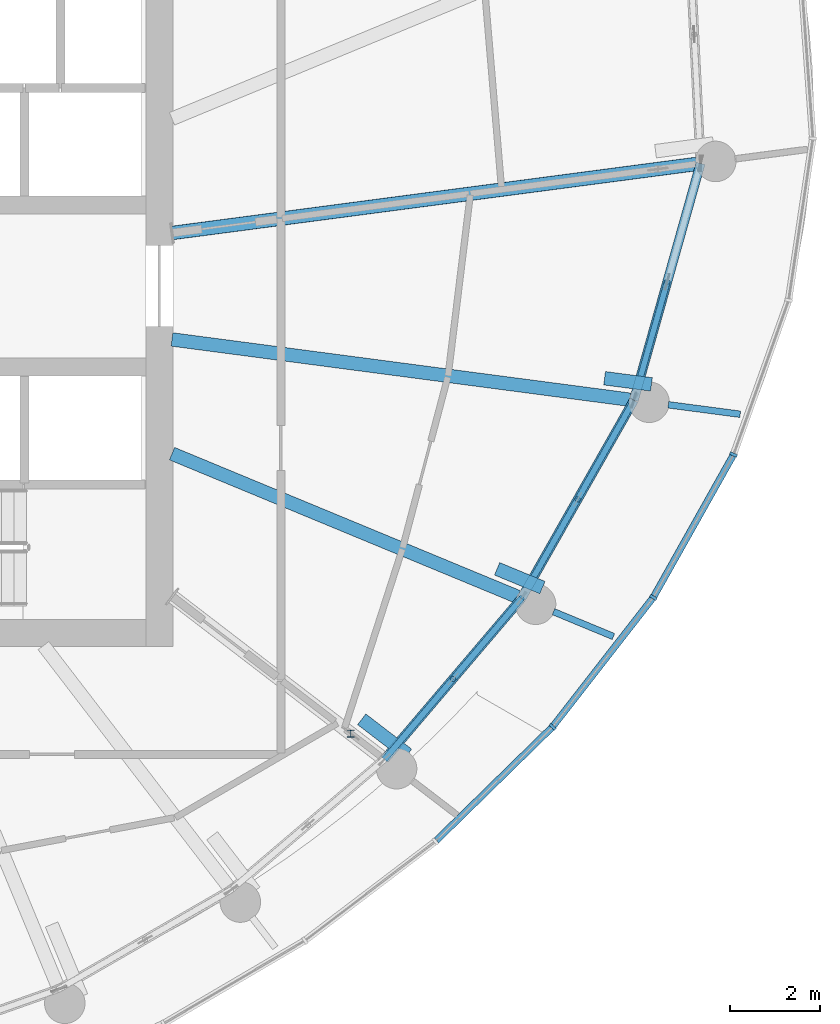
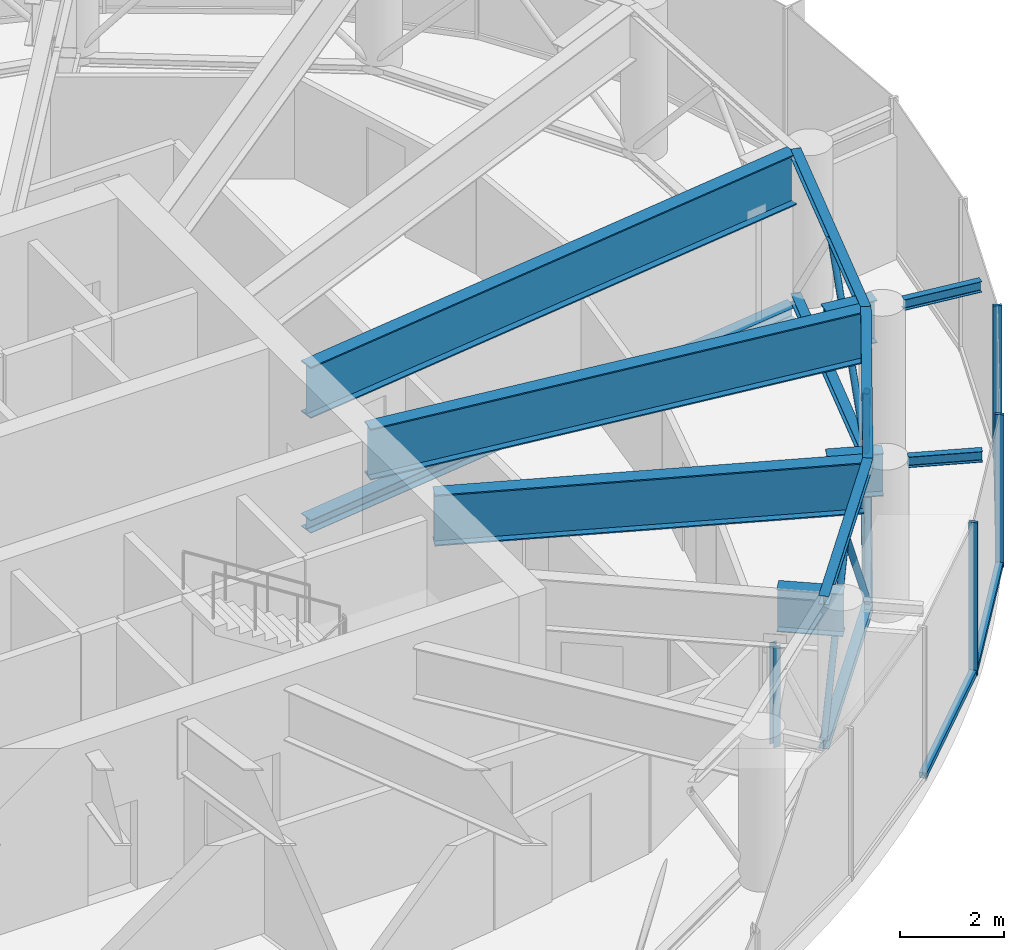
# One storey, part 8 of 26: 19 members, 8 beams, 1 element without a shape of its own.
"""IFC4 building model written with IfcOpenShell, lengths in metres."""

from ifc_helpers import new_model, si_unit, direction, frame, origin, origin_2d, place, context, subcontext, project, spatial, rectangle, hollow_circle, i_section, extrude, source, transform, mapped, material, layer, layer_set, material_profile, profile_set, type_object, element, aggregate, save


model = new_model("IFC4")

# Units and contexts
model_context = context("Model", 3, precision=1e-05, world=origin(), true_north=direction((0.0, 1.0)))
body_context = subcontext(model_context, "Body", "Model", "MODEL_VIEW")
ifc_project = project(units=[si_unit("LENGTHUNIT", "METRE"), si_unit("AREAUNIT", "SQUARE_METRE"), si_unit("VOLUMEUNIT", "CUBIC_METRE"), si_unit("PLANEANGLEUNIT", "RADIAN"), si_unit("MASSUNIT", "GRAM", prefix="KILO")], contexts=[model_context])

# Site, building, storey
site_placement = place(None, origin())
site = spatial("IfcSite", under=ifc_project, at=site_placement, CompositionType="ELEMENT")
building_placement = place(site_placement, origin())
building = spatial("IfcBuilding", under=site, at=building_placement, Name="Spindrift Exchange Tower", CompositionType="ELEMENT")
storey_placement = place(building_placement, frame((0.0, 0.0, 230.60009765625)))
storey = spatial("IfcBuildingStorey", under=building, at=storey_placement, Name="L56", CompositionType="ELEMENT", Elevation=230.60009765625)

# Beams
ifc_material_1 = material(Name="Steel Grade 300", Category="steel")
ifc_material_profile_1 = material_profile(ifc_material_1, i_section(OverallWidth=0.14599609375, OverallDepth=0.251953125, WebThickness=0.006103515625, FlangeThickness=0.008544921875, FilletRadius=0.011962890625, at=origin_2d()), Name="250UB31.4")
ifc_profile_set_1 = profile_set([ifc_material_profile_1], Name="Steel Grade 300")
beam_type_1 = type_object("IfcBeamType", Name="Cantilever Beam 250UB31.4 Steel Grade 300", PredefinedType="BEAM", material=ifc_profile_set_1)
shared_shape_1 = source(origin(), body_context, "Body", "SweptSolid", [
    extrude(i_section(OverallWidth=0.14599609375, OverallDepth=0.251953125, WebThickness=0.006103515625, FlangeThickness=0.008544921875, FilletRadius=0.011962890625, at=origin_2d()), origin(), (0.0, 0.0, 1.0), 1.442138671875),
])
beam_1_placement = place(storey_placement, frame((69.456787109375, 40.769287109375, 3.453857421875), z_axis=(0.923841425001, -0.382775419081, 0.0), x_axis=(0.382775419081, 0.923841425001, 0.0)))
element("IfcBeam", 1, at=beam_1_placement, inside=storey, type_object=beam_type_1, Name="L56 cantilever beam R23T", PredefinedType="BEAM", context=body_context, shape_type="MappedRepresentation", body=[
    mapped(shared_shape_1, transform((0.0, 0.0, 0.0), scale=1.0)),
])
shared_shape_2 = source(origin(), body_context, "Body", "SweptSolid", [
    extrude(i_section(OverallWidth=0.14599609375, OverallDepth=0.251953125, WebThickness=0.006103515625, FlangeThickness=0.008544921875, FilletRadius=0.011962890625, at=origin_2d()), origin(), (0.0, 0.0, 1.0), 1.611572265625),
])
beam_2_placement = place(storey_placement, frame((72.00732421875, 45.365966796875, 3.453857421875), z_axis=(0.991435721486, -0.130595597787, 0.0), x_axis=(0.130595597787, 0.991435721486, 0.0)))
element("IfcBeam", 2, at=beam_2_placement, inside=storey, type_object=beam_type_1, Name="L56 cantilever beam R24T", PredefinedType="BEAM", context=body_context, shape_type="MappedRepresentation", body=[
    mapped(shared_shape_2, transform((0.0, 0.0, 0.0), scale=1.0)),
])
ifc_material_profile_2 = material_profile(ifc_material_1, i_section(OverallWidth=0.300048828125, OverallDepth=1.199951171875, WebThickness=0.011962890625, FlangeThickness=0.028076171875, at=origin_2d()), Name="1200WB249")
ifc_profile_set_2 = profile_set([ifc_material_profile_2], Name="Steel Grade 300")
beam_type_2 = type_object("IfcBeamType", Name="Transfer Girder 1200WB249 Steel Grade 300", PredefinedType="BEAM", material=ifc_profile_set_2)
shared_shape_3 = source(origin(), body_context, "Body", "SweptSolid", [
    extrude(i_section(OverallWidth=0.300048828125, OverallDepth=1.199951171875, WebThickness=0.011962890625, FlangeThickness=0.028076171875, at=origin_2d()), origin(), (0.0, 0.0, 1.0), 8.3134765625),
])
beam_3_placement = place(storey_placement, frame((60.9814453125, 44.27978515625, 2.97998046875), z_axis=(0.923881179957, -0.382679455055, 0.0), x_axis=(0.382679455055, 0.923881179957, 0.0)))
element("IfcBeam", 3, at=beam_3_placement, inside=storey, type_object=beam_type_2, Name="L56 radial beam R23A", PredefinedType="BEAM", context=body_context, shape_type="MappedRepresentation", body=[
    mapped(shared_shape_3, transform((0.0, 0.0, 0.0), scale=1.0)),
])
shared_shape_4 = source(origin(), body_context, "Body", "SweptSolid", [
    extrude(i_section(OverallWidth=0.300048828125, OverallDepth=1.199951171875, WebThickness=0.011962890625, FlangeThickness=0.028076171875, at=origin_2d()), origin(), (0.0, 0.0, 1.0), 10.262451171875),
])
beam_4_placement = place(storey_placement, frame((60.980224609375, 46.817626953125, 2.97998046875), z_axis=(0.991446763371, -0.130511744304, 0.0), x_axis=(0.130511744304, 0.991446763371, 0.0)))
element("IfcBeam", 4, at=beam_4_placement, inside=storey, type_object=beam_type_2, Name="L56 radial beam R24A", PredefinedType="BEAM", context=body_context, shape_type="MappedRepresentation", body=[
    mapped(shared_shape_4, transform((0.0, 0.0, 0.0), scale=1.0)),
])
ifc_material_profile_3 = material_profile(ifc_material_1, i_section(OverallWidth=0.300048828125, OverallDepth=1.199951171875, WebThickness=0.011962890625, FlangeThickness=0.028076171875, at=origin_2d()), Name="1200WB249")
ifc_profile_set_3 = profile_set([ifc_material_profile_3], Name="Steel Grade 300")
beam_type_3 = type_object("IfcBeamType", Name="Outrigger Truss Transfer Girder 1200WB249 Steel Grade 300", PredefinedType="BEAM", material=ifc_profile_set_3)
shared_shape_5 = source(origin(), body_context, "Body", "SweptSolid", [
    extrude(i_section(OverallWidth=0.300048828125, OverallDepth=1.199951171875, WebThickness=0.011962890625, FlangeThickness=0.028076171875, at=origin_2d()), origin(), (0.0, 0.0, 1.0), 11.75634765625),
])
beam_5_placement = place(storey_placement, frame((60.980224609375, 49.182373046875, 2.97998046875), z_axis=(0.991445811455, 0.13051897543, 0.0), x_axis=(-0.13051897543, 0.991445811455, 0.0)))
element("IfcBeam", 5, at=beam_5_placement, inside=storey, type_object=beam_type_3, Name="L56 outrigger truss 01 top chord 1", PredefinedType="BEAM", context=body_context, shape_type="MappedRepresentation", body=[
    mapped(shared_shape_5, transform((0.0, 0.0, 0.0), scale=1.0)),
])

# Members
ifc_material_profile_4 = material_profile(ifc_material_1, i_section(OverallWidth=0.304931640625, OverallDepth=0.30810546875, WebThickness=0.010009765625, FlangeThickness=0.015380859375, FilletRadius=0.0166015625, at=origin_2d()), Name="310UC96.8")
ifc_profile_set_4 = profile_set([ifc_material_profile_4], Name="Steel Grade 300")
member_type_1 = type_object("IfcMemberType", Name="Outrigger Truss Chord 310UC96.8 Steel Grade 300", PredefinedType="CHORD", material=ifc_profile_set_4)
shared_shape_6 = source(origin(), body_context, "Body", "SweptSolid", [
    extrude(i_section(OverallWidth=0.304931640625, OverallDepth=0.30810546875, WebThickness=0.010009765625, FlangeThickness=0.015380859375, FilletRadius=0.0166015625, at=origin_2d()), origin(), (0.0, 0.0, 1.0), 11.75634765625),
])
member_1_placement = place(storey_placement, frame((60.980224609375, 49.182373046875, -0.154052734375), z_axis=(0.991445811455, 0.13051897543, 0.0), x_axis=(-0.13051897543, 0.991445811455, 0.0)))
element("IfcMember", 6, at=member_1_placement, inside=storey, type_object=member_type_1, Name="L56 outrigger truss 01 bottom chord 1", PredefinedType="CHORD", context=body_context, shape_type="MappedRepresentation", body=[
    mapped(shared_shape_6, transform((0.0, 0.0, 0.0), scale=1.0)),
])
ifc_material_profile_5 = material_profile(ifc_material_1, i_section(OverallWidth=0.152099609375, OverallDepth=0.152099609375, WebThickness=0.006103515625, FlangeThickness=0.0068359375, FilletRadius=0.008056640625, at=origin_2d()), Name="150UC23.4")
ifc_profile_set_5 = profile_set([ifc_material_profile_5], Name="Steel Grade 300")
member_type_2 = type_object("IfcMemberType", Name="Outrigger Truss Post 150UC23.4 Steel Grade 300", PredefinedType="POST", material=ifc_profile_set_5)
shared_shape_7 = source(origin(), body_context, "Body", "SweptSolid", [
    extrude(i_section(OverallWidth=0.152099609375, OverallDepth=0.152099609375, WebThickness=0.006103515625, FlangeThickness=0.0068359375, FilletRadius=0.008056640625, at=origin_2d()), origin(), (0.0, 0.0, 1.0), 2.3798828125),
])
member_2_placement = place(storey_placement, frame((64.953125, 38.060791015625, 0.0), z_axis=(0.0, 0.0, 1.0), x_axis=(1.0, 0.0, 0.0)))
element("IfcMember", 7, at=member_2_placement, inside=storey, type_object=member_type_2, Name="L56 outrigger truss 22 post 1", PredefinedType="POST", context=body_context, shape_type="MappedRepresentation", body=[
    mapped(shared_shape_7, transform((0.0, 0.0, 0.0), scale=1.0)),
])
ifc_material_profile_6 = material_profile(ifc_material_1, i_section(OverallWidth=0.202880859375, OverallDepth=0.202880859375, WebThickness=0.00732421875, FlangeThickness=0.010986328125, FilletRadius=0.012939453125, at=origin_2d()), Name="200UC46.2")
ifc_profile_set_6 = profile_set([ifc_material_profile_6], Name="Steel Grade 300")
member_type_3 = type_object("IfcMemberType", Name="Belt Truss Chord 200UC46.2 Steel Grade 300", PredefinedType="CHORD", material=ifc_profile_set_6)
shared_shape_8 = source(origin(), body_context, "Body", "SweptSolid", [
    extrude(i_section(OverallWidth=0.202880859375, OverallDepth=0.202880859375, WebThickness=0.00732421875, FlangeThickness=0.010986328125, FilletRadius=0.012939453125, at=origin_2d()), origin(), (0.0, 0.0, 1.0), 4.697021484375),
])
for number, where, z_axis, x_axis, name in (
    (8, (65.701416015625, 37.48681640625, 3.478515625), (0.648064752845, 0.761585238906, 0.0), (-0.761585238906, 0.648064752845, 0.0), "L56 belt truss 22 top chord"),
    (9, (65.701416015625, 37.48681640625, 0.101318359375), (0.648064752845, 0.761585238906, 0.0), (-0.761585238906, 0.648064752845, 0.0), "L56 belt truss 22 bottom chord"),
):
    element("IfcMember", number, at=place(storey_placement, frame(where, z_axis=z_axis, x_axis=x_axis)), inside=storey, type_object=member_type_3, Name=name, PredefinedType="CHORD", context=body_context, shape_type="MappedRepresentation", body=[
        mapped(shared_shape_8, transform((0.0, 0.0, 0.0), scale=1.0)),
    ])
ifc_material_2 = material(Name="Steel Grade 350", Category="steel")
ifc_material_profile_7 = material_profile(ifc_material_2, hollow_circle(Radius=0.06982421875, WallThickness=0.00537109375, at=origin_2d()), Name="139.7x5.4CHS")
ifc_profile_set_7 = profile_set([ifc_material_profile_7], Name="Steel Grade 350")
member_type_4 = type_object("IfcMemberType", Name="Belt Truss Diagonal 139.7x5.4CHS Steel Grade 350", PredefinedType="BRACE", material=ifc_profile_set_7)
shared_shape_9 = source(origin(), body_context, "Body", "SweptSolid", [
    extrude(hollow_circle(Radius=0.06982421875, WallThickness=0.00537109375, at=origin_2d()), origin(), (0.0, 0.0, 1.0), 3.948486328125),
])
for number, where, z_axis, x_axis, name in (
    (10, (65.701416015625, 37.48681640625, 0.202880859375), (0.385462324808, 0.452983155525, 0.803881245561), (-0.761585238906, 0.648064752845, 0.0), "L56 belt truss 22 diagonal 1"),
    (11, (67.223388671875, 39.275390625, 3.376953125), (0.385462324808, 0.452983155525, -0.803881245561), (-0.761585238906, 0.648064752845, 0.0), "L56 belt truss 22 diagonal 2"),
):
    element("IfcMember", number, at=place(storey_placement, frame(where, z_axis=z_axis, x_axis=x_axis)), inside=storey, type_object=member_type_4, Name=name, PredefinedType="BRACE", context=body_context, shape_type="MappedRepresentation", body=[
        mapped(shared_shape_9, transform((0.0, 0.0, 0.0), scale=1.0)),
    ])
shared_shape_10 = source(origin(), body_context, "Body", "SweptSolid", [
    extrude(i_section(OverallWidth=0.202880859375, OverallDepth=0.202880859375, WebThickness=0.00732421875, FlangeThickness=0.010986328125, FilletRadius=0.012939453125, at=origin_2d()), origin(), (0.0, 0.0, 1.0), 5.062255859375),
])
for number, where, z_axis, x_axis, name in (
    (12, (68.745361328125, 41.06396484375, 3.478515625), (0.493571013006, 0.869705499075, 0.0), (-0.869705499075, 0.493571013006, 0.0), "L56 belt truss 23 top chord"),
    (13, (68.745361328125, 41.06396484375, 0.101318359375), (0.493571013006, 0.869705499075, 0.0), (-0.869705499075, 0.493571013006, 0.0), "L56 belt truss 23 bottom chord"),
):
    element("IfcMember", number, at=place(storey_placement, frame(where, z_axis=z_axis, x_axis=x_axis)), inside=storey, type_object=member_type_3, Name=name, PredefinedType="CHORD", context=body_context, shape_type="MappedRepresentation", body=[
        mapped(shared_shape_10, transform((0.0, 0.0, 0.0), scale=1.0)),
    ])
shared_shape_11 = source(origin(), body_context, "Body", "SweptSolid", [
    extrude(hollow_circle(Radius=0.06982421875, WallThickness=0.00537109375, at=origin_2d()), origin(), (0.0, 0.0, 1.0), 4.0595703125),
])
member_3_placement = place(storey_placement, frame((68.745361328125, 41.06396484375, 0.202880859375), z_axis=(0.307729734579, 0.542210530967, 0.781863255668), x_axis=(-0.869693749264, 0.493591716392, 0.0)))
element("IfcMember", 14, at=member_3_placement, inside=storey, type_object=member_type_4, Name="L56 belt truss 23 diagonal 1", PredefinedType="BRACE", context=body_context, shape_type="MappedRepresentation", body=[
    mapped(shared_shape_11, transform((0.0, 0.0, 0.0), scale=1.0)),
])
shared_shape_12 = source(origin(), body_context, "Body", "SweptSolid", [
    extrude(hollow_circle(Radius=0.06982421875, WallThickness=0.00537109375, at=origin_2d()), origin(), (0.0, 0.0, 1.0), 4.059814453125),
])
member_4_placement = place(storey_placement, frame((69.99462890625, 43.26513671875, 3.376953125), z_axis=(0.307719700112, 0.542252987279, -0.781837760632), x_axis=(-0.869717247406, 0.493550311077, 0.0)))
element("IfcMember", 15, at=member_4_placement, inside=storey, type_object=member_type_4, Name="L56 belt truss 23 diagonal 2", PredefinedType="BRACE", context=body_context, shape_type="MappedRepresentation", body=[
    mapped(shared_shape_12, transform((0.0, 0.0, 0.0), scale=1.0)),
])
shared_shape_13 = source(origin(), body_context, "Body", "SweptSolid", [
    extrude(i_section(OverallWidth=0.202880859375, OverallDepth=0.202880859375, WebThickness=0.00732421875, FlangeThickness=0.010986328125, FilletRadius=0.012939453125, at=origin_2d()), origin(), (0.0, 0.0, 1.0), 5.466552734375),
])
for number, where, z_axis, x_axis, name in (
    (16, (71.243896484375, 45.466552734375, 3.478515625), (0.270961562202, 0.962590168145, 0.0), (-0.962590168145, 0.270961562202, 0.0), "L56 belt truss 24 top chord"),
    (17, (71.243896484375, 45.466552734375, 0.101318359375), (0.270961562202, 0.962590168145, 0.0), (-0.962590168145, 0.270961562202, 0.0), "L56 belt truss 24 bottom chord"),
):
    element("IfcMember", number, at=place(storey_placement, frame(where, z_axis=z_axis, x_axis=x_axis)), inside=storey, type_object=member_type_3, Name=name, PredefinedType="CHORD", context=body_context, shape_type="MappedRepresentation", body=[
        mapped(shared_shape_13, transform((0.0, 0.0, 0.0), scale=1.0)),
    ])
shared_shape_14 = source(origin(), body_context, "Body", "SweptSolid", [
    extrude(hollow_circle(Radius=0.06982421875, WallThickness=0.00537109375, at=origin_2d()), origin(), (0.0, 0.0, 1.0), 4.188720703125),
])
member_5_placement = place(storey_placement, frame((71.243896484375, 45.466552734375, 0.202880859375), z_axis=(0.176840240789, 0.628091771503, 0.757778500492), x_axis=(-0.962575238322, 0.271014594754, 0.0)))
element("IfcMember", 18, at=member_5_placement, inside=storey, type_object=member_type_4, Name="L56 belt truss 24 diagonal 1", PredefinedType="BRACE", context=body_context, shape_type="MappedRepresentation", body=[
    mapped(shared_shape_14, transform((0.0, 0.0, 0.0), scale=1.0)),
])

# Beams
ifc_material_profile_8 = material_profile(ifc_material_1, i_section(OverallWidth=0.300048828125, OverallDepth=1.0, WebThickness=0.010009765625, FlangeThickness=0.02001953125, at=origin_2d()), Name="1000WB215")
ifc_profile_set_8 = profile_set([ifc_material_profile_8], Name="Steel Grade 300")
beam_type_4 = type_object("IfcBeamType", Name="Transfer Tie Beam 1000WB215 Steel Grade 300", PredefinedType="BEAM", material=ifc_profile_set_8)
shared_shape_15 = source(origin(), body_context, "Body", "SweptSolid", [
    extrude(i_section(OverallWidth=0.300048828125, OverallDepth=1.0, WebThickness=0.010009765625, FlangeThickness=0.02001953125, at=origin_2d()), origin(), (0.0, 0.0, 1.0), 1.283203125),
])
beam_6_placement = place(storey_placement, frame((66.214599609375, 37.596923828125, 2.97998046875), z_axis=(-0.793330694412, 0.608790940556, 0.0), x_axis=(-0.608790940556, -0.793330694412, 0.0)))
element("IfcBeam", 19, at=beam_6_placement, inside=storey, type_object=beam_type_4, Name="L56 transfer tie beam K22", PredefinedType="BEAM", context=body_context, shape_type="MappedRepresentation", body=[
    mapped(shared_shape_15, transform((0.0, 0.0, 0.0), scale=1.0)),
])
shared_shape_16 = source(origin(), body_context, "Body", "SweptSolid", [
    extrude(i_section(OverallWidth=0.300048828125, OverallDepth=1.0, WebThickness=0.010009765625, FlangeThickness=0.02001953125, at=origin_2d()), origin(), (0.0, 0.0, 1.0), 1.0908203125),
])
beam_7_placement = place(storey_placement, frame((69.21240234375, 41.303466796875, 2.97998046875), z_axis=(-0.923869529365, 0.382707581205, 0.0), x_axis=(-0.382707581205, -0.923869529365, 0.0)))
element("IfcBeam", 20, at=beam_7_placement, inside=storey, type_object=beam_type_4, Name="L56 transfer tie beam K23", PredefinedType="BEAM", context=body_context, shape_type="MappedRepresentation", body=[
    mapped(shared_shape_16, transform((0.0, 0.0, 0.0), scale=1.0)),
])
shared_shape_17 = source(origin(), body_context, "Body", "SweptSolid", [
    extrude(i_section(OverallWidth=0.300048828125, OverallDepth=1.0, WebThickness=0.010009765625, FlangeThickness=0.02001953125, at=origin_2d()), origin(), (0.0, 0.0, 1.0), 1.050048828125),
])
beam_8_placement = place(storey_placement, frame((71.63330078125, 45.818603515625, 2.97998046875), z_axis=(-0.991425781816, 0.130671034095, 0.0), x_axis=(-0.130671034095, -0.991425781816, 0.0)))
element("IfcBeam", 21, at=beam_8_placement, inside=storey, type_object=beam_type_4, Name="L56 transfer tie beam K24", PredefinedType="BEAM", context=body_context, shape_type="MappedRepresentation", body=[
    mapped(shared_shape_17, transform((0.0, 0.0, 0.0), scale=1.0)),
])

# Curtain wall, members
ifc_material_3 = material(Name="Fritted laminated glass with bronze frame", Category="glass")
ifc_layer = layer(ifc_material_3, 0.169921875)
ifc_layer_set = layer_set([ifc_layer], Name="ZONE 4 BRONZE FRITTED WALL")
curtain_wall_type = type_object("IfcCurtainWallType", Name="ZONE 4 BRONZE FRITTED WALL", PredefinedType="NOTDEFINED", material=ifc_layer_set)
curtain_wall_placement = place(storey_placement, origin())
curtain_wall = element("IfcCurtainWall", 22, at=curtain_wall_placement, inside=storey, type_object=curtain_wall_type, Name="L56 Zone 4 Bronze Fritted Wall run 6", PredefinedType="NOTDEFINED")
ifc_material_4 = material(Name="Bronze anodised aluminium", Category="aluminium")
ifc_material_profile_9 = material_profile(ifc_material_4, rectangle(XDim=0.06494140625, YDim=0.169921875, at=origin_2d()), Name="ZONE 4 BRONZE FRITTED WALL MULLION 65X170")
ifc_profile_set_9 = profile_set([ifc_material_profile_9], Name="Bronze anodised aluminium")
member_type_5 = type_object("IfcMemberType", Name="ZONE 4 BRONZE FRITTED WALL MULLION 65X170", PredefinedType="MULLION", material=ifc_profile_set_9)
shared_shape_18 = source(origin(), body_context, "Body", "SweptSolid", [
    extrude(rectangle(XDim=0.06494140625, YDim=0.169921875, at=origin_2d()), origin(), (0.0, 0.0, 1.0), 3.579833984375),
])
member_6_placement = place(storey_placement, frame((69.43701171875, 38.211181640625, 0.0), z_axis=(0.0, 0.0, 1.0), x_axis=(0.665971879173, 0.745976846927, 0.0)))
member_6 = element("IfcMember", 23, at=member_6_placement, type_object=member_type_5, Name="L56 mullion CW-4.32", PredefinedType="MULLION", context=body_context, shape_type="MappedRepresentation", body=[
    mapped(shared_shape_18, transform((0.0, 0.0, 0.0), scale=1.0)),
])
member_7_placement = place(storey_placement, frame((71.673828125, 41.085205078125, 0.0), z_axis=(0.0, 0.0, 1.0), x_axis=(0.553619664971, 0.832769635949, 0.0)))
member_7 = element("IfcMember", 24, at=member_7_placement, type_object=member_type_5, Name="L56 mullion CW-4.33", PredefinedType="MULLION", context=body_context, shape_type="MappedRepresentation", body=[
    mapped(shared_shape_18, transform((0.0, 0.0, 0.0), scale=1.0)),
])
member_8_placement = place(storey_placement, frame((73.457763671875, 44.259521484375, 0.0), z_axis=(0.0, 0.0, 1.0), x_axis=(0.414487834752, 0.910054852656, 0.0)))
member_8 = element("IfcMember", 25, at=member_8_placement, type_object=member_type_5, Name="L56 mullion CW-4.34", PredefinedType="MULLION", context=body_context, shape_type="MappedRepresentation", body=[
    mapped(shared_shape_18, transform((0.0, 0.0, 0.0), scale=1.0)),
])
ifc_material_profile_10 = material_profile(ifc_material_4, rectangle(XDim=0.14990234375, YDim=0.125, at=origin_2d()), Name="ZONE 4 BRONZE FRITTED WALL TRANSOM 150X125")
ifc_profile_set_10 = profile_set([ifc_material_profile_10], Name="Bronze anodised aluminium")
member_type_6 = type_object("IfcMemberType", Name="ZONE 4 BRONZE FRITTED WALL TRANSOM 150X125", PredefinedType="USERDEFINED", material=ifc_profile_set_10)
shared_shape_19 = source(origin(), body_context, "Body", "SweptSolid", [
    extrude(rectangle(XDim=0.14990234375, YDim=0.125, at=origin_2d()), origin(), (0.0, 0.0, 1.0), 3.577392578125),
])
member_9_placement = place(storey_placement, frame((66.85693359375, 35.6865234375, 0.0625), z_axis=(0.714742799291, 0.699387396842, 0.0), x_axis=(-0.699387396842, 0.714742799291, 0.0)))
member_9 = element("IfcMember", 26, at=member_9_placement, type_object=member_type_6, Name="L56 transom CW-4.31", ObjectType="TRANSOM", PredefinedType="USERDEFINED", context=body_context, shape_type="MappedRepresentation", body=[
    mapped(shared_shape_19, transform((0.0, 0.0, 0.0), scale=1.0)),
])
shared_shape_20 = source(origin(), body_context, "Body", "SweptSolid", [
    extrude(rectangle(XDim=0.14990234375, YDim=0.125, at=origin_2d()), origin(), (0.0, 0.0, 1.0), 3.576904296875),
])
member_10_placement = place(storey_placement, frame((69.45703125, 38.237060546875, 0.0625), z_axis=(0.61424299861, 0.789116935985, 0.0), x_axis=(-0.789116935985, 0.61424299861, 0.0)))
member_10 = element("IfcMember", 27, at=member_10_placement, type_object=member_type_6, Name="L56 transom CW-4.32", ObjectType="TRANSOM", PredefinedType="USERDEFINED", context=body_context, shape_type="MappedRepresentation", body=[
    mapped(shared_shape_20, transform((0.0, 0.0, 0.0), scale=1.0)),
])
shared_shape_21 = source(origin(), body_context, "Body", "SweptSolid", [
    extrude(rectangle(XDim=0.14990234375, YDim=0.125, at=origin_2d()), origin(), (0.0, 0.0, 1.0), 3.575927734375),
])
member_11_placement = place(storey_placement, frame((71.68994140625, 41.113525390625, 0.0625), z_axis=(0.489920854508, 0.871766916279, 0.0), x_axis=(-0.871766916279, 0.489920854508, 0.0)))
member_11 = element("IfcMember", 28, at=member_11_placement, type_object=member_type_6, Name="L56 transom CW-4.33", ObjectType="TRANSOM", PredefinedType="USERDEFINED", context=body_context, shape_type="MappedRepresentation", body=[
    mapped(shared_shape_21, transform((0.0, 0.0, 0.0), scale=1.0)),
])
aggregate(curtain_wall, [member_9, member_6, member_10, member_7, member_11, member_8])

save(model, "model.ifc")
